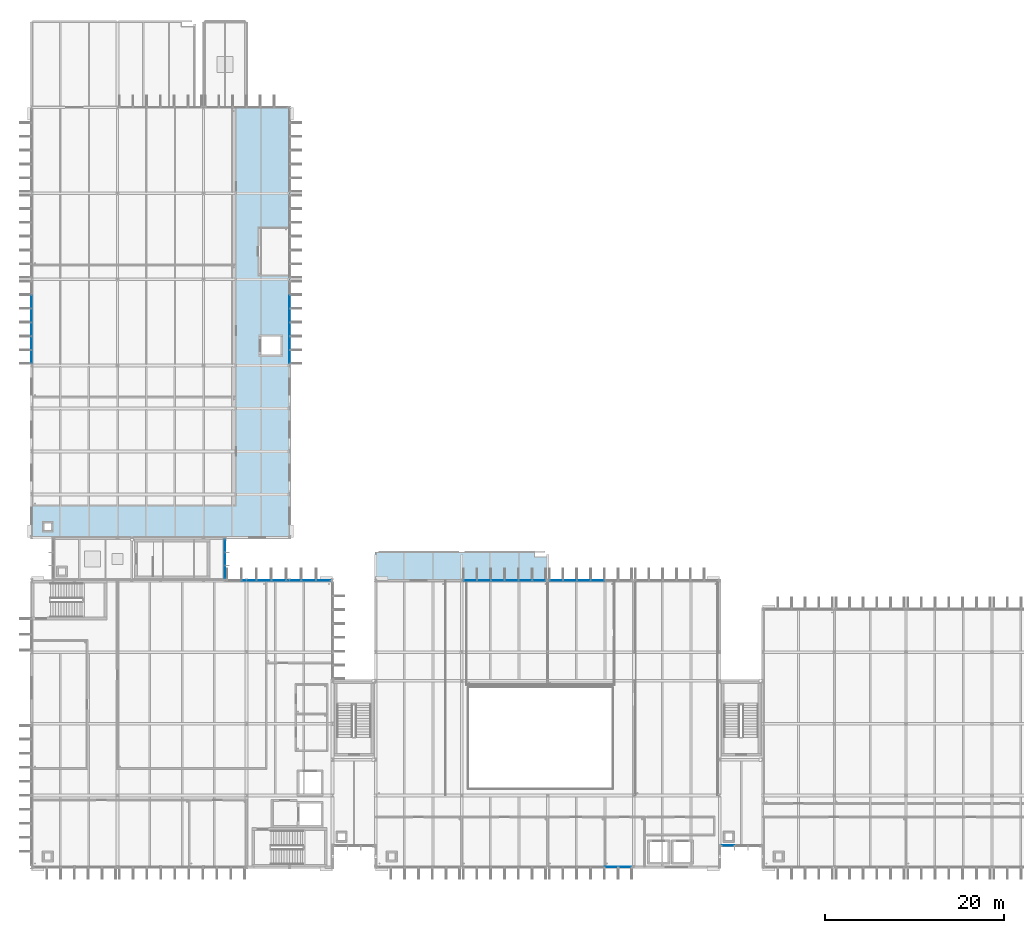
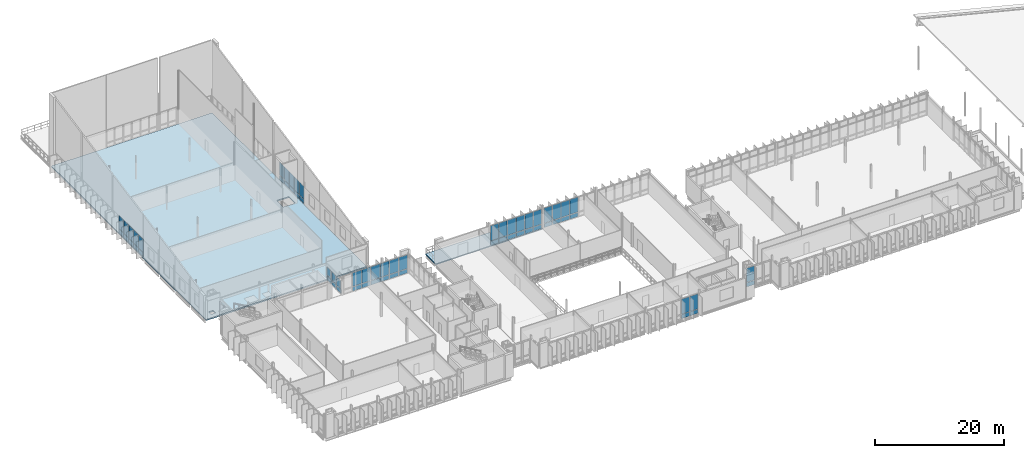
# One storey, part 41 of 93: 64 plates, 2 slabs, 8 elements without a shape of their own.
"""IFC4 building model written with IfcOpenShell, lengths in metres."""

import ifcopenshell
import ifcopenshell.guid

model = None  # the IFC model being written
_history = None  # IfcOwnerHistory: only IFC2X3 demands one
_inside = {}  # id of a spatial element -> (the spatial element, [elements in it])
_under = {}  # id of a project, library or spatial element -> (it, [spatial elements below it])
_declared = {}  # id of a project -> (the project, [libraries it declares])
_typed = {}  # id of a type object -> (the type object, [elements of that type])
_made_of = {}  # id of a material, layer set ... -> (it, [elements and type objects made of it])


def new_model(schema):
    """Start an empty IFC model of exactly this schema.

    Asked for "IFC4X3", IfcOpenShell would pick the latest addendum, in which some entities
    have other attributes; the version numbers below select the first issue.
    IFC2X3 requires an IfcOwnerHistory on every rooted entity: one is made here for all.
    """
    global model, _history
    if schema == "IFC4X3":
        model = ifcopenshell.file(schema_version=(4, 3, 0, 0))
    else:
        model = ifcopenshell.file(schema=schema)
    _inside.clear()
    _under.clear()
    _declared.clear()
    _typed.clear()
    _made_of.clear()
    _history = None
    if model.schema == "IFC2X3":
        org = make("IfcOrganization", Name="unknown")
        user = make(
            "IfcPersonAndOrganization",
            ThePerson=make("IfcPerson", FamilyName="unknown"),
            TheOrganization=org,
        )
        app = make(
            "IfcApplication",
            ApplicationDeveloper=org,
            Version="unknown",
            ApplicationFullName="unknown",
            ApplicationIdentifier="unknown",
        )
        _history = make(
            "IfcOwnerHistory",
            OwningUser=user,
            OwningApplication=app,
            ChangeAction="ADDED",
            CreationDate=0,
        )
    return model


def make(cls, **values):
    """One entity of the class cls with the attributes given. An attribute that is None is left unset."""
    return model.create_entity(
        cls, **{name: value for name, value in values.items() if value is not None}
    )


def rooted(cls, **values):
    """An entity with a GlobalId (a new one), such as an element, a storey or a relation."""
    return make(cls, GlobalId=ifcopenshell.guid.new(), OwnerHistory=_history, **values)


def si_unit(unit_type, name, prefix=None):
    """IfcSIUnit, for example si_unit("LENGTHUNIT", "METRE", prefix="MILLI")."""
    return make("IfcSIUnit", UnitType=unit_type, Prefix=prefix, Name=name)


def assignment(units):
    """IfcUnitAssignment: the units of a project."""
    return None if units is None else make("IfcUnitAssignment", Units=units)


def point(xyz):
    """IfcCartesianPoint."""
    return None if xyz is None else make("IfcCartesianPoint", Coordinates=xyz)


def direction(xyz):
    """IfcDirection."""
    return None if xyz is None else make("IfcDirection", DirectionRatios=xyz)


def frame(location, z_axis=None, x_axis=None):
    """IfcAxis2Placement3D, a coordinate frame: its origin and axes. An axis left out is left unset."""
    return make(
        "IfcAxis2Placement3D",
        Location=point(location),
        Axis=direction(z_axis),
        RefDirection=direction(x_axis),
    )


def frame_2d(location, x_axis=None):
    """IfcAxis2Placement2D, a coordinate frame in the plane: its origin and x axis."""
    return make(
        "IfcAxis2Placement2D", Location=point(location), RefDirection=direction(x_axis)
    )


def origin():
    """The frame at (0, 0, 0) with its axes left unset."""
    return frame((0.0, 0.0, 0.0))


def origin_2d():
    """The frame at (0, 0) in the plane with its x axis left unset."""
    return frame_2d((0.0, 0.0))


def place(relative_to, where):
    """IfcLocalPlacement: puts the frame where relative to a parent placement (None: the world)."""
    return make(
        "IfcLocalPlacement", PlacementRelTo=relative_to, RelativePlacement=where
    )


def context(
    kind, dimensions, precision=None, world=None, true_north=None, identifier=None
):
    """IfcGeometricRepresentationContext, for example the 3D "Model" context."""
    return make(
        "IfcGeometricRepresentationContext",
        ContextIdentifier=identifier,
        ContextType=kind,
        CoordinateSpaceDimension=dimensions,
        Precision=precision,
        WorldCoordinateSystem=world,
        TrueNorth=true_north,
    )


def subcontext(parent, identifier, kind, view, scale=None):
    """IfcGeometricRepresentationSubContext, for example "Body" below "Model"."""
    return make(
        "IfcGeometricRepresentationSubContext",
        ContextIdentifier=identifier,
        ContextType=kind,
        ParentContext=parent,
        TargetScale=scale,
        TargetView=view,
    )


def project(units=None, contexts=None):
    """IfcProject with its units and contexts."""
    return rooted(
        "IfcProject",
        Name="project",
        RepresentationContexts=contexts,
        UnitsInContext=assignment(units),
    )


def spatial(cls, under=None, at=None, **own):
    """A site, building, storey or space (cls), placed at a placement, below another one or the project."""
    s = rooted(cls, ObjectPlacement=at, **own)
    if under is not None:
        _under.setdefault(under.id(), (under, []))[1].append(s)
    return s


def polyline(points):
    """IfcPolyline through the points."""
    return make("IfcPolyline", Points=[point(p) for p in points])


def profile(cls, at=None, kind="AREA", **sizes):
    """A parametric profile (cls). Its sizes go by their IFC names, for example OverallWidth=200.0."""
    return make(cls, ProfileType=kind, Position=at, **sizes)


def rectangle(**sizes):
    """IfcRectangleProfileDef."""
    return profile("IfcRectangleProfileDef", **sizes)


def outline(outer, holes=None, kind="AREA"):
    """IfcArbitraryClosedProfileDef: a profile drawn as a closed curve; with holes, ...WithVoids."""
    if holes is None:
        return make("IfcArbitraryClosedProfileDef", ProfileType=kind, OuterCurve=outer)
    return make(
        "IfcArbitraryProfileDefWithVoids",
        ProfileType=kind,
        OuterCurve=outer,
        InnerCurves=holes,
    )


def extrude(swept, where, along, depth):
    """IfcExtrudedAreaSolid: the profile swept, set in the frame where, extruded along a direction by depth."""
    return make(
        "IfcExtrudedAreaSolid",
        SweptArea=swept,
        Position=where,
        ExtrudedDirection=direction(along),
        Depth=depth,
    )


def shape(context_of_items, identifier, shape_type, items):
    """IfcShapeRepresentation: the items that make up one representation, for example the "Body"."""
    return make(
        "IfcShapeRepresentation",
        ContextOfItems=context_of_items,
        RepresentationIdentifier=identifier,
        RepresentationType=shape_type,
        Items=items,
    )


def material(Name=None, Category=None):
    """IfcMaterial."""
    return make("IfcMaterial", Name=Name, Category=Category)


def layer(
    of_material, thickness, ventilated=None, Name=None, Category=None, Priority=None
):
    """IfcMaterialLayer: one layer of a wall or slab, of a material (None: an air gap)."""
    return make(
        "IfcMaterialLayer",
        Material=of_material,
        LayerThickness=thickness,
        IsVentilated=ventilated,
        Name=Name,
        Category=Category,
        Priority=Priority,
    )


def layer_set(layers, Name=None):
    """IfcMaterialLayerSet."""
    return make("IfcMaterialLayerSet", MaterialLayers=layers, LayerSetName=Name)


def made_of(thing, what):
    """Note that an element or type object is made of a material, layer set ...; save() writes the relation."""
    if what is not None:
        _made_of.setdefault(what.id(), (what, []))[1].append(thing)
    return thing


def type_object(cls, material=None, **own):
    """A type object (cls), such as IfcWallType, which elements share."""
    return made_of(rooted(cls, **own), material)


def element(
    cls,
    number,
    at=None,
    inside=None,
    cuts=None,
    type_object=None,
    material=None,
    context=None,
    identifier="Body",
    shape_type=None,
    held_by="IfcProductDefinitionShape",
    body=None,
    shapes=None,
    **own,
):
    """One element of the class cls, such as IfcWall. Its Tag is "e" and its number.

    at: its placement. inside: the storey or other place that contains it. cuts: it is an
    opening in that element (IfcRelVoidsElement). A single representation is given by context,
    identifier, shape_type and body (its items); several are given by shapes. held_by: the class
    of the entity that holds the representations. save() writes the other relations.
    """
    e = rooted(cls, Tag="e%d" % number, ObjectPlacement=at, **own)
    if body is not None:
        shapes = [shape(context, identifier, shape_type, body)]
    if shapes is not None:
        e.Representation = make(held_by, Representations=shapes)
    if inside is not None:
        _inside.setdefault(inside.id(), (inside, []))[1].append(e)
    if cuts is not None:
        rooted(
            "IfcRelVoidsElement", RelatingBuildingElement=cuts, RelatedOpeningElement=e
        )
    if type_object is not None:
        _typed.setdefault(type_object.id(), (type_object, []))[1].append(e)
    return made_of(e, material)


def aggregate(whole, parts):
    """IfcRelAggregates: a whole, such as a stair, and the parts it consists of."""
    return rooted("IfcRelAggregates", RelatingObject=whole, RelatedObjects=parts)


def save(model, path):
    """Write the relations noted so far, then the file.

    IfcRelAggregates (storeys below a building ...), IfcRelContainedInSpatialStructure (elements
    in a storey), IfcRelDefinesByType, IfcRelAssociatesMaterial and IfcRelDeclares: one each for
    every whole, place, type object, material and project.
    """
    for whole, parts in _under.values():
        aggregate(whole, parts)
    for where, things in _inside.values():
        rooted(
            "IfcRelContainedInSpatialStructure",
            RelatedElements=things,
            RelatingStructure=where,
        )
    for kind, things in _typed.values():
        rooted("IfcRelDefinesByType", RelatedObjects=things, RelatingType=kind)
    for what, things in _made_of.values():
        rooted("IfcRelAssociatesMaterial", RelatedObjects=things, RelatingMaterial=what)
    for by, libraries in _declared.values():
        rooted("IfcRelDeclares", RelatingContext=by, RelatedDefinitions=libraries)
    model.write(path)


model = new_model("IFC4")

# Units and contexts
model_context = context("Model", 3, precision=1e-05, world=origin(), true_north=direction((0.0, 1.0)))
body_context = subcontext(model_context, "Body", "Model", "MODEL_VIEW")
ifc_project = project(units=[si_unit("LENGTHUNIT", "METRE"), si_unit("AREAUNIT", "SQUARE_METRE"), si_unit("VOLUMEUNIT", "CUBIC_METRE"), si_unit("PLANEANGLEUNIT", "RADIAN"), si_unit("MASSUNIT", "GRAM", prefix="KILO")], contexts=[model_context])

# Site, building, storey
site_placement = place(None, origin())
site = spatial("IfcSite", under=ifc_project, at=site_placement, CompositionType="ELEMENT")
building_placement = place(site_placement, origin())
building = spatial("IfcBuilding", under=site, at=building_placement, Name="Dunescarp Central Library", CompositionType="ELEMENT")
storey_placement = place(building_placement, frame((0.0, 0.0, 14.10009765625)))
storey = spatial("IfcBuildingStorey", under=building, at=storey_placement, Name="L03", CompositionType="ELEMENT", Elevation=14.10009765625)

# Curtain wall, plates
ifc_material_1 = material(Name="Marine-grade anodised aluminium 6063-T6", Category="aluminium")
curtain_wall_type_1 = type_object("IfcCurtainWallType", Name="ARC-CW-STICK", PredefinedType="NOTDEFINED", material=ifc_material_1)
curtain_wall_1_placement = place(storey_placement, origin())
curtain_wall_1 = element("IfcCurtainWall", 1, at=curtain_wall_1_placement, inside=storey, type_object=curtain_wall_type_1, Name="L03 curtain wall CW-V1-020", PredefinedType="NOTDEFINED")
ifc_material_2 = material(Name="Solar-control laminated double glazing", Category="glass")
ifc_layer_1 = layer(ifc_material_2, 0.028076171875)
ifc_layer_set_1 = layer_set([ifc_layer_1], Name="Solar-control laminated double glazing")
plate_type_1 = type_object("IfcPlateType", Name="ARC-PLT-GLZ28", PredefinedType="CURTAIN_PANEL", material=ifc_layer_set_1)
plate_1_placement = place(storey_placement, frame((24.271484375, 36.800048828125, 0.93994140625), z_axis=(0.0, 0.0, 1.0), x_axis=(1.0, 0.0, 0.0)))
plate_1 = element("IfcPlate", 2, at=plate_1_placement, type_object=plate_type_1, Name="CW-V1-020 panel 2.2", PredefinedType="CURTAIN_PANEL", context=body_context, shape_type="SweptSolid", body=[
    extrude(rectangle(XDim=1.584228515625, YDim=0.028076171875, at=origin_2d()), origin(), (0.0, 0.0, 1.0), 2.60498046875),
])
plate_2_placement = place(storey_placement, frame((25.935791015625, 36.800048828125, 0.93994140625), z_axis=(0.0, 0.0, 1.0), x_axis=(1.0, 0.0, 0.0)))
plate_2 = element("IfcPlate", 3, at=plate_2_placement, type_object=plate_type_1, Name="CW-V1-020 panel 3.2", PredefinedType="CURTAIN_PANEL", context=body_context, shape_type="SweptSolid", body=[
    extrude(rectangle(XDim=1.584228515625, YDim=0.028076171875, at=origin_2d()), origin(), (0.0, 0.0, 1.0), 2.60498046875),
])
plate_3_placement = place(storey_placement, frame((27.60009765625, 36.800048828125, 0.93994140625), z_axis=(0.0, 0.0, 1.0), x_axis=(1.0, 0.0, 0.0)))
plate_3 = element("IfcPlate", 4, at=plate_3_placement, type_object=plate_type_1, Name="CW-V1-020 panel 4.2", PredefinedType="CURTAIN_PANEL", context=body_context, shape_type="SweptSolid", body=[
    extrude(rectangle(XDim=1.584228515625, YDim=0.028076171875, at=origin_2d()), origin(), (0.0, 0.0, 1.0), 2.60498046875),
])
plate_4_placement = place(storey_placement, frame((29.264404296875, 36.800048828125, 0.93994140625), z_axis=(0.0, 0.0, 1.0), x_axis=(1.0, 0.0, 0.0)))
plate_4 = element("IfcPlate", 5, at=plate_4_placement, type_object=plate_type_1, Name="CW-V1-020 panel 5.2", PredefinedType="CURTAIN_PANEL", context=body_context, shape_type="SweptSolid", body=[
    extrude(rectangle(XDim=1.584228515625, YDim=0.028076171875, at=origin_2d()), origin(), (0.0, 0.0, 1.0), 2.60498046875),
])
plate_5_placement = place(storey_placement, frame((30.928466796875, 36.800048828125, 0.93994140625), z_axis=(0.0, 0.0, 1.0), x_axis=(1.0, 0.0, 0.0)))
plate_5 = element("IfcPlate", 6, at=plate_5_placement, type_object=plate_type_1, Name="CW-V1-020 panel 6.2", PredefinedType="CURTAIN_PANEL", context=body_context, shape_type="SweptSolid", body=[
    extrude(rectangle(XDim=1.584228515625, YDim=0.028076171875, at=origin_2d()), origin(), (0.0, 0.0, 1.0), 2.60498046875),
])
plate_6_placement = place(storey_placement, frame((32.57275390625, 36.800048828125, 0.93994140625), z_axis=(0.0, 0.0, 1.0), x_axis=(1.0, 0.0, 0.0)))
plate_6 = element("IfcPlate", 7, at=plate_6_placement, type_object=plate_type_1, Name="CW-V1-020 panel 7.2", PredefinedType="CURTAIN_PANEL", context=body_context, shape_type="SweptSolid", body=[
    extrude(rectangle(XDim=1.544189453125, YDim=0.028076171875, at=origin_2d()), origin(), (0.0, 0.0, 1.0), 2.60498046875),
])

curtain_wall_2_placement = place(storey_placement, origin())
curtain_wall_2 = element("IfcCurtainWall", 8, at=curtain_wall_2_placement, inside=storey, type_object=curtain_wall_type_1, Name="L03 curtain wall CW-V2-063", PredefinedType="NOTDEFINED")
plate_7_placement = place(storey_placement, frame((66.234130859375, 4.800048828125, 0.93994140625), z_axis=(0.0, 0.0, 1.0), x_axis=(-1.0, 0.0, 0.0)))
plate_7 = element("IfcPlate", 9, at=plate_7_placement, type_object=plate_type_1, Name="CW-V2-063 panel 1.2", PredefinedType="CURTAIN_PANEL", context=body_context, shape_type="SweptSolid", body=[
    extrude(rectangle(XDim=1.421630859375, YDim=0.028076171875, at=origin_2d()), origin(), (0.0, 0.0, 1.0), 2.842041015625),
])
plate_8_placement = place(storey_placement, frame((64.71240234375, 4.800048828125, 0.93994140625), z_axis=(0.0, 0.0, 1.0), x_axis=(-1.0, 0.0, 0.0)))
plate_8 = element("IfcPlate", 10, at=plate_8_placement, type_object=plate_type_1, Name="CW-V2-063 panel 2.2", PredefinedType="CURTAIN_PANEL", context=body_context, shape_type="SweptSolid", body=[
    extrude(rectangle(XDim=1.461669921875, YDim=0.028076171875, at=origin_2d()), origin(), (0.0, 0.0, 1.0), 2.842041015625),
])

curtain_wall_3_placement = place(storey_placement, origin())
curtain_wall_3 = element("IfcCurtainWall", 11, at=curtain_wall_3_placement, inside=storey, type_object=curtain_wall_type_1, Name="L03 curtain wall CW-V2-064", PredefinedType="NOTDEFINED")
plate_9_placement = place(storey_placement, frame((48.9658203125, 36.800048828125, 0.93994140625), z_axis=(0.0, 0.0, 1.0), x_axis=(1.0, 0.0, 0.0)))
plate_9 = element("IfcPlate", 12, at=plate_9_placement, type_object=plate_type_1, Name="CW-V2-064 panel 1.2", PredefinedType="CURTAIN_PANEL", context=body_context, shape_type="SweptSolid", body=[
    extrude(rectangle(XDim=1.421630859375, YDim=0.028076171875, at=origin_2d()), origin(), (0.0, 0.0, 1.0), 2.842041015625),
])
plate_10_placement = place(storey_placement, frame((50.487548828125, 36.800048828125, 0.93994140625), z_axis=(0.0, 0.0, 1.0), x_axis=(1.0, 0.0, 0.0)))
plate_10 = element("IfcPlate", 13, at=plate_10_placement, type_object=plate_type_1, Name="CW-V2-064 panel 2.2", PredefinedType="CURTAIN_PANEL", context=body_context, shape_type="SweptSolid", body=[
    extrude(rectangle(XDim=1.461669921875, YDim=0.028076171875, at=origin_2d()), origin(), (0.0, 0.0, 1.0), 2.842041015625),
])
plate_11_placement = place(storey_placement, frame((52.029052734375, 36.800048828125, 0.93994140625), z_axis=(0.0, 0.0, 1.0), x_axis=(1.0, 0.0, 0.0)))
plate_11 = element("IfcPlate", 14, at=plate_11_placement, type_object=plate_type_1, Name="CW-V2-064 panel 3.2", PredefinedType="CURTAIN_PANEL", context=body_context, shape_type="SweptSolid", body=[
    extrude(rectangle(XDim=1.461669921875, YDim=0.028076171875, at=origin_2d()), origin(), (0.0, 0.0, 1.0), 2.842041015625),
])
plate_12_placement = place(storey_placement, frame((53.57080078125, 36.800048828125, 0.93994140625), z_axis=(0.0, 0.0, 1.0), x_axis=(1.0, 0.0, 0.0)))
plate_12 = element("IfcPlate", 15, at=plate_12_placement, type_object=plate_type_1, Name="CW-V2-064 panel 4.2", PredefinedType="CURTAIN_PANEL", context=body_context, shape_type="SweptSolid", body=[
    extrude(rectangle(XDim=1.461669921875, YDim=0.028076171875, at=origin_2d()), origin(), (0.0, 0.0, 1.0), 2.842041015625),
])
plate_13_placement = place(storey_placement, frame((55.112548828125, 36.800048828125, 0.93994140625), z_axis=(0.0, 0.0, 1.0), x_axis=(1.0, 0.0, 0.0)))
plate_13 = element("IfcPlate", 16, at=plate_13_placement, type_object=plate_type_1, Name="CW-V2-064 panel 5.2", PredefinedType="CURTAIN_PANEL", context=body_context, shape_type="SweptSolid", body=[
    extrude(rectangle(XDim=1.461669921875, YDim=0.028076171875, at=origin_2d()), origin(), (0.0, 0.0, 1.0), 2.842041015625),
])
plate_14_placement = place(storey_placement, frame((56.63427734375, 36.800048828125, 0.93994140625), z_axis=(0.0, 0.0, 1.0), x_axis=(1.0, 0.0, 0.0)))
plate_14 = element("IfcPlate", 17, at=plate_14_placement, type_object=plate_type_1, Name="CW-V2-064 panel 6.2", PredefinedType="CURTAIN_PANEL", context=body_context, shape_type="SweptSolid", body=[
    extrude(rectangle(XDim=1.421630859375, YDim=0.028076171875, at=origin_2d()), origin(), (0.0, 0.0, 1.0), 2.842041015625),
])

curtain_wall_4_placement = place(storey_placement, origin())
curtain_wall_4 = element("IfcCurtainWall", 18, at=curtain_wall_4_placement, inside=storey, type_object=curtain_wall_type_1, Name="L03 curtain wall CW-V2-065", PredefinedType="NOTDEFINED")
plate_15_placement = place(storey_placement, frame((58.56591796875, 36.800048828125, 0.93994140625), z_axis=(0.0, 0.0, 1.0), x_axis=(1.0, 0.0, 0.0)))
plate_15 = element("IfcPlate", 19, at=plate_15_placement, type_object=plate_type_1, Name="CW-V2-065 panel 1.2", PredefinedType="CURTAIN_PANEL", context=body_context, shape_type="SweptSolid", body=[
    extrude(rectangle(XDim=1.421630859375, YDim=0.028076171875, at=origin_2d()), origin(), (0.0, 0.0, 1.0), 2.842041015625),
])
plate_16_placement = place(storey_placement, frame((60.08740234375, 36.800048828125, 0.93994140625), z_axis=(0.0, 0.0, 1.0), x_axis=(1.0, 0.0, 0.0)))
plate_16 = element("IfcPlate", 20, at=plate_16_placement, type_object=plate_type_1, Name="CW-V2-065 panel 2.2", PredefinedType="CURTAIN_PANEL", context=body_context, shape_type="SweptSolid", body=[
    extrude(rectangle(XDim=1.461669921875, YDim=0.028076171875, at=origin_2d()), origin(), (0.0, 0.0, 1.0), 2.842041015625),
])
plate_17_placement = place(storey_placement, frame((61.629150390625, 36.800048828125, 0.93994140625), z_axis=(0.0, 0.0, 1.0), x_axis=(1.0, 0.0, 0.0)))
plate_17 = element("IfcPlate", 21, at=plate_17_placement, type_object=plate_type_1, Name="CW-V2-065 panel 3.2", PredefinedType="CURTAIN_PANEL", context=body_context, shape_type="SweptSolid", body=[
    extrude(rectangle(XDim=1.461669921875, YDim=0.028076171875, at=origin_2d()), origin(), (0.0, 0.0, 1.0), 2.842041015625),
])
plate_18_placement = place(storey_placement, frame((63.1708984375, 36.800048828125, 0.93994140625), z_axis=(0.0, 0.0, 1.0), x_axis=(1.0, 0.0, 0.0)))
plate_18 = element("IfcPlate", 22, at=plate_18_placement, type_object=plate_type_1, Name="CW-V2-065 panel 4.2", PredefinedType="CURTAIN_PANEL", context=body_context, shape_type="SweptSolid", body=[
    extrude(rectangle(XDim=1.461669921875, YDim=0.028076171875, at=origin_2d()), origin(), (0.0, 0.0, 1.0), 2.842041015625),
])

curtain_wall_5_placement = place(storey_placement, origin())
curtain_wall_5 = element("IfcCurtainWall", 23, at=curtain_wall_5_placement, inside=storey, type_object=curtain_wall_type_1, Name="L03 curtain wall CW-V4-130", PredefinedType="NOTDEFINED")
plate_19_placement = place(storey_placement, frame((0.0, 61.765869140625, 0.93994140625), z_axis=(0.0, 0.0, 1.0), x_axis=(0.0, 1.0, 0.0)))
plate_19 = element("IfcPlate", 24, at=plate_19_placement, type_object=plate_type_1, Name="CW-V4-130 panel 1.2", PredefinedType="CURTAIN_PANEL", context=body_context, shape_type="SweptSolid", body=[
    extrude(rectangle(XDim=1.421630859375, YDim=0.028076171875, at=origin_2d()), origin(), (0.0, 0.0, 1.0), 2.4619140625),
])
plate_20_placement = place(storey_placement, frame((0.0, 63.28759765625, 0.93994140625), z_axis=(0.0, 0.0, 1.0), x_axis=(0.0, 1.0, 0.0)))
plate_20 = element("IfcPlate", 25, at=plate_20_placement, type_object=plate_type_1, Name="CW-V4-130 panel 2.2", PredefinedType="CURTAIN_PANEL", context=body_context, shape_type="SweptSolid", body=[
    extrude(rectangle(XDim=1.461669921875, YDim=0.028076171875, at=origin_2d()), origin(), (0.0, 0.0, 1.0), 2.4619140625),
])
plate_21_placement = place(storey_placement, frame((0.0, 64.8291015625, 0.93994140625), z_axis=(0.0, 0.0, 1.0), x_axis=(0.0, 1.0, 0.0)))
plate_21 = element("IfcPlate", 26, at=plate_21_placement, type_object=plate_type_1, Name="CW-V4-130 panel 3.2", PredefinedType="CURTAIN_PANEL", context=body_context, shape_type="SweptSolid", body=[
    extrude(rectangle(XDim=1.461669921875, YDim=0.028076171875, at=origin_2d()), origin(), (0.0, 0.0, 1.0), 2.4619140625),
])
plate_22_placement = place(storey_placement, frame((0.0, 66.370849609375, 0.93994140625), z_axis=(0.0, 0.0, 1.0), x_axis=(0.0, 1.0, 0.0)))
plate_22 = element("IfcPlate", 27, at=plate_22_placement, type_object=plate_type_1, Name="CW-V4-130 panel 4.2", PredefinedType="CURTAIN_PANEL", context=body_context, shape_type="SweptSolid", body=[
    extrude(rectangle(XDim=1.461669921875, YDim=0.028076171875, at=origin_2d()), origin(), (0.0, 0.0, 1.0), 2.4619140625),
])
plate_23_placement = place(storey_placement, frame((0.0, 67.91259765625, 0.93994140625), z_axis=(0.0, 0.0, 1.0), x_axis=(0.0, 1.0, 0.0)))
plate_23 = element("IfcPlate", 28, at=plate_23_placement, type_object=plate_type_1, Name="CW-V4-130 panel 5.2", PredefinedType="CURTAIN_PANEL", context=body_context, shape_type="SweptSolid", body=[
    extrude(rectangle(XDim=1.461669921875, YDim=0.028076171875, at=origin_2d()), origin(), (0.0, 0.0, 1.0), 2.4619140625),
])

curtain_wall_6_placement = place(storey_placement, origin())
curtain_wall_6 = element("IfcCurtainWall", 29, at=curtain_wall_6_placement, inside=storey, type_object=curtain_wall_type_1, Name="L03 curtain wall CW-V4-131", PredefinedType="NOTDEFINED")
plate_24_placement = place(storey_placement, frame((28.800048828125, 67.91259765625, 0.93994140625), z_axis=(0.0, 0.0, 1.0), x_axis=(0.0, -1.0, 0.0)))
plate_24 = element("IfcPlate", 30, at=plate_24_placement, type_object=plate_type_1, Name="CW-V4-131 panel 2.2", PredefinedType="CURTAIN_PANEL", context=body_context, shape_type="SweptSolid", body=[
    extrude(rectangle(XDim=1.461669921875, YDim=0.028076171875, at=origin_2d()), origin(), (0.0, 0.0, 1.0), 2.4619140625),
])
plate_25_placement = place(storey_placement, frame((28.800048828125, 66.370849609375, 0.93994140625), z_axis=(0.0, 0.0, 1.0), x_axis=(0.0, -1.0, 0.0)))
plate_25 = element("IfcPlate", 31, at=plate_25_placement, type_object=plate_type_1, Name="CW-V4-131 panel 3.2", PredefinedType="CURTAIN_PANEL", context=body_context, shape_type="SweptSolid", body=[
    extrude(rectangle(XDim=1.461669921875, YDim=0.028076171875, at=origin_2d()), origin(), (0.0, 0.0, 1.0), 2.4619140625),
])
plate_26_placement = place(storey_placement, frame((28.800048828125, 64.8291015625, 0.93994140625), z_axis=(0.0, 0.0, 1.0), x_axis=(0.0, -1.0, 0.0)))
plate_26 = element("IfcPlate", 32, at=plate_26_placement, type_object=plate_type_1, Name="CW-V4-131 panel 4.2", PredefinedType="CURTAIN_PANEL", context=body_context, shape_type="SweptSolid", body=[
    extrude(rectangle(XDim=1.461669921875, YDim=0.028076171875, at=origin_2d()), origin(), (0.0, 0.0, 1.0), 2.4619140625),
])
plate_27_placement = place(storey_placement, frame((28.800048828125, 63.28759765625, 0.93994140625), z_axis=(0.0, 0.0, 1.0), x_axis=(0.0, -1.0, 0.0)))
plate_27 = element("IfcPlate", 33, at=plate_27_placement, type_object=plate_type_1, Name="CW-V4-131 panel 5.2", PredefinedType="CURTAIN_PANEL", context=body_context, shape_type="SweptSolid", body=[
    extrude(rectangle(XDim=1.461669921875, YDim=0.028076171875, at=origin_2d()), origin(), (0.0, 0.0, 1.0), 2.4619140625),
])
plate_28_placement = place(storey_placement, frame((28.800048828125, 61.765869140625, 0.93994140625), z_axis=(0.0, 0.0, 1.0), x_axis=(0.0, -1.0, 0.0)))
plate_28 = element("IfcPlate", 34, at=plate_28_placement, type_object=plate_type_1, Name="CW-V4-131 panel 6.2", PredefinedType="CURTAIN_PANEL", context=body_context, shape_type="SweptSolid", body=[
    extrude(rectangle(XDim=1.421630859375, YDim=0.028076171875, at=origin_2d()), origin(), (0.0, 0.0, 1.0), 2.4619140625),
])

# Curtain wall, plate
curtain_wall_type_2 = type_object("IfcCurtainWallType", Name="ARC-CW-LINK", PredefinedType="USERDEFINED", material=ifc_material_1)
curtain_wall_7_placement = place(storey_placement, origin())
curtain_wall_7 = element("IfcCurtainWall", 35, at=curtain_wall_7_placement, inside=storey, type_object=curtain_wall_type_2, Name="L03 curtain wall CW-GL2-S-L03", ObjectType="GLAZED_LINK_WALL", PredefinedType="USERDEFINED")
plate_29_placement = place(storey_placement, frame((77.736572265625, 7.199951171875, 0.93994140625), z_axis=(0.0, 0.0, 1.0), x_axis=(-1.0, 0.0, 0.0)))
plate_29 = element("IfcPlate", 36, at=plate_29_placement, type_object=plate_type_1, Name="CW-GL2-S-L03 panel 3.2", PredefinedType="CURTAIN_PANEL", context=body_context, shape_type="SweptSolid", body=[
    extrude(rectangle(XDim=1.36328125, YDim=0.028076171875, at=origin_2d()), origin(), (0.0, 0.0, 1.0), 2.666015625),
])

# Curtain wall, plates
curtain_wall_8_placement = place(storey_placement, origin())
curtain_wall_8 = element("IfcCurtainWall", 37, at=curtain_wall_8_placement, inside=storey, type_object=curtain_wall_type_2, Name="L03 curtain wall CW-GL4-E-L03", ObjectType="GLAZED_LINK_WALL", PredefinedType="USERDEFINED")
plate_30_placement = place(storey_placement, frame((21.60009765625, 40.663330078125, 0.93994140625), z_axis=(0.0, 0.0, 1.0), x_axis=(0.0, -1.0, 0.0)))
plate_30 = element("IfcPlate", 38, at=plate_30_placement, type_object=plate_type_1, Name="CW-GL4-E-L03 panel 1.2", PredefinedType="CURTAIN_PANEL", context=body_context, shape_type="SweptSolid", body=[
    extrude(rectangle(XDim=1.36328125, YDim=0.028076171875, at=origin_2d()), origin(), (0.0, 0.0, 1.0), 1.580078125),
])
plate_31_placement = place(storey_placement, frame((21.60009765625, 39.199951171875, 0.93994140625), z_axis=(0.0, 0.0, 1.0), x_axis=(0.0, -1.0, 0.0)))
plate_31 = element("IfcPlate", 39, at=plate_31_placement, type_object=plate_type_1, Name="CW-GL4-E-L03 panel 2.2", PredefinedType="CURTAIN_PANEL", context=body_context, shape_type="SweptSolid", body=[
    extrude(rectangle(XDim=1.4033203125, YDim=0.028076171875, at=origin_2d()), origin(), (0.0, 0.0, 1.0), 1.580078125),
])
plate_32_placement = place(storey_placement, frame((21.60009765625, 37.736572265625, 0.93994140625), z_axis=(0.0, 0.0, 1.0), x_axis=(0.0, -1.0, 0.0)))
plate_32 = element("IfcPlate", 40, at=plate_32_placement, type_object=plate_type_1, Name="CW-GL4-E-L03 panel 3.2", PredefinedType="CURTAIN_PANEL", context=body_context, shape_type="SweptSolid", body=[
    extrude(rectangle(XDim=1.36328125, YDim=0.028076171875, at=origin_2d()), origin(), (0.0, 0.0, 1.0), 1.580078125),
])

# Plate
ifc_layer_2 = layer(ifc_material_1, 0.050048828125)
ifc_layer_set_2 = layer_set([ifc_layer_2], Name="Marine-grade anodised aluminium 6063-T6")
plate_type_2 = type_object("IfcPlateType", Name="ARC-PLT-SPN50", PredefinedType="SHEET", material=ifc_layer_set_2)
plate_33_placement = place(storey_placement, frame((24.271484375, 36.800048828125, 0.080078125), z_axis=(0.0, 0.0, 1.0), x_axis=(1.0, 0.0, 0.0)))
plate_33 = element("IfcPlate", 41, at=plate_33_placement, type_object=plate_type_2, Name="CW-V1-020 panel 2.1", PredefinedType="SHEET", context=body_context, shape_type="SweptSolid", body=[
    extrude(rectangle(XDim=1.584228515625, YDim=0.050048828125, at=origin_2d()), origin(), (0.0, 0.0, 1.0), 0.780029296875),
])

plate_34_placement = place(storey_placement, frame((25.935791015625, 36.800048828125, 0.080078125), z_axis=(0.0, 0.0, 1.0), x_axis=(1.0, 0.0, 0.0)))
plate_34 = element("IfcPlate", 42, at=plate_34_placement, type_object=plate_type_2, Name="CW-V1-020 panel 3.1", PredefinedType="SHEET", context=body_context, shape_type="SweptSolid", body=[
    extrude(rectangle(XDim=1.584228515625, YDim=0.050048828125, at=origin_2d()), origin(), (0.0, 0.0, 1.0), 0.780029296875),
])

plate_35_placement = place(storey_placement, frame((27.60009765625, 36.800048828125, 0.080078125), z_axis=(0.0, 0.0, 1.0), x_axis=(1.0, 0.0, 0.0)))
plate_35 = element("IfcPlate", 43, at=plate_35_placement, type_object=plate_type_2, Name="CW-V1-020 panel 4.1", PredefinedType="SHEET", context=body_context, shape_type="SweptSolid", body=[
    extrude(rectangle(XDim=1.584228515625, YDim=0.050048828125, at=origin_2d()), origin(), (0.0, 0.0, 1.0), 0.780029296875),
])

plate_36_placement = place(storey_placement, frame((29.264404296875, 36.800048828125, 0.080078125), z_axis=(0.0, 0.0, 1.0), x_axis=(1.0, 0.0, 0.0)))
plate_36 = element("IfcPlate", 44, at=plate_36_placement, type_object=plate_type_2, Name="CW-V1-020 panel 5.1", PredefinedType="SHEET", context=body_context, shape_type="SweptSolid", body=[
    extrude(rectangle(XDim=1.584228515625, YDim=0.050048828125, at=origin_2d()), origin(), (0.0, 0.0, 1.0), 0.780029296875),
])

plate_37_placement = place(storey_placement, frame((30.928466796875, 36.800048828125, 0.080078125), z_axis=(0.0, 0.0, 1.0), x_axis=(1.0, 0.0, 0.0)))
plate_37 = element("IfcPlate", 45, at=plate_37_placement, type_object=plate_type_2, Name="CW-V1-020 panel 6.1", PredefinedType="SHEET", context=body_context, shape_type="SweptSolid", body=[
    extrude(rectangle(XDim=1.584228515625, YDim=0.050048828125, at=origin_2d()), origin(), (0.0, 0.0, 1.0), 0.780029296875),
])

plate_38_placement = place(storey_placement, frame((32.57275390625, 36.800048828125, 0.080078125), z_axis=(0.0, 0.0, 1.0), x_axis=(1.0, 0.0, 0.0)))
plate_38 = element("IfcPlate", 46, at=plate_38_placement, type_object=plate_type_2, Name="CW-V1-020 panel 7.1", PredefinedType="SHEET", context=body_context, shape_type="SweptSolid", body=[
    extrude(rectangle(XDim=1.544189453125, YDim=0.050048828125, at=origin_2d()), origin(), (0.0, 0.0, 1.0), 0.780029296875),
])

aggregate(curtain_wall_1, [plate_33, plate_1, plate_34, plate_2, plate_35, plate_3, plate_36, plate_4, plate_37, plate_5, plate_38, plate_6])

plate_39_placement = place(storey_placement, frame((66.234130859375, 4.800048828125, 0.080078125), z_axis=(0.0, 0.0, 1.0), x_axis=(-1.0, 0.0, 0.0)))
plate_39 = element("IfcPlate", 47, at=plate_39_placement, type_object=plate_type_2, Name="CW-V2-063 panel 1.1", PredefinedType="SHEET", context=body_context, shape_type="SweptSolid", body=[
    extrude(rectangle(XDim=1.421630859375, YDim=0.050048828125, at=origin_2d()), origin(), (0.0, 0.0, 1.0), 0.780029296875),
])

plate_40_placement = place(storey_placement, frame((64.71240234375, 4.800048828125, 0.080078125), z_axis=(0.0, 0.0, 1.0), x_axis=(-1.0, 0.0, 0.0)))
plate_40 = element("IfcPlate", 48, at=plate_40_placement, type_object=plate_type_2, Name="CW-V2-063 panel 2.1", PredefinedType="SHEET", context=body_context, shape_type="SweptSolid", body=[
    extrude(rectangle(XDim=1.461669921875, YDim=0.050048828125, at=origin_2d()), origin(), (0.0, 0.0, 1.0), 0.780029296875),
])

aggregate(curtain_wall_2, [plate_39, plate_7, plate_40, plate_8])

plate_41_placement = place(storey_placement, frame((48.9658203125, 36.800048828125, 0.080078125), z_axis=(0.0, 0.0, 1.0), x_axis=(1.0, 0.0, 0.0)))
plate_41 = element("IfcPlate", 49, at=plate_41_placement, type_object=plate_type_2, Name="CW-V2-064 panel 1.1", PredefinedType="SHEET", context=body_context, shape_type="SweptSolid", body=[
    extrude(rectangle(XDim=1.421630859375, YDim=0.050048828125, at=origin_2d()), origin(), (0.0, 0.0, 1.0), 0.780029296875),
])

plate_42_placement = place(storey_placement, frame((50.487548828125, 36.800048828125, 0.080078125), z_axis=(0.0, 0.0, 1.0), x_axis=(1.0, 0.0, 0.0)))
plate_42 = element("IfcPlate", 50, at=plate_42_placement, type_object=plate_type_2, Name="CW-V2-064 panel 2.1", PredefinedType="SHEET", context=body_context, shape_type="SweptSolid", body=[
    extrude(rectangle(XDim=1.461669921875, YDim=0.050048828125, at=origin_2d()), origin(), (0.0, 0.0, 1.0), 0.780029296875),
])

plate_43_placement = place(storey_placement, frame((52.029052734375, 36.800048828125, 0.080078125), z_axis=(0.0, 0.0, 1.0), x_axis=(1.0, 0.0, 0.0)))
plate_43 = element("IfcPlate", 51, at=plate_43_placement, type_object=plate_type_2, Name="CW-V2-064 panel 3.1", PredefinedType="SHEET", context=body_context, shape_type="SweptSolid", body=[
    extrude(rectangle(XDim=1.461669921875, YDim=0.050048828125, at=origin_2d()), origin(), (0.0, 0.0, 1.0), 0.780029296875),
])

plate_44_placement = place(storey_placement, frame((53.57080078125, 36.800048828125, 0.080078125), z_axis=(0.0, 0.0, 1.0), x_axis=(1.0, 0.0, 0.0)))
plate_44 = element("IfcPlate", 52, at=plate_44_placement, type_object=plate_type_2, Name="CW-V2-064 panel 4.1", PredefinedType="SHEET", context=body_context, shape_type="SweptSolid", body=[
    extrude(rectangle(XDim=1.461669921875, YDim=0.050048828125, at=origin_2d()), origin(), (0.0, 0.0, 1.0), 0.780029296875),
])

plate_45_placement = place(storey_placement, frame((55.112548828125, 36.800048828125, 0.080078125), z_axis=(0.0, 0.0, 1.0), x_axis=(1.0, 0.0, 0.0)))
plate_45 = element("IfcPlate", 53, at=plate_45_placement, type_object=plate_type_2, Name="CW-V2-064 panel 5.1", PredefinedType="SHEET", context=body_context, shape_type="SweptSolid", body=[
    extrude(rectangle(XDim=1.461669921875, YDim=0.050048828125, at=origin_2d()), origin(), (0.0, 0.0, 1.0), 0.780029296875),
])

plate_46_placement = place(storey_placement, frame((56.63427734375, 36.800048828125, 0.080078125), z_axis=(0.0, 0.0, 1.0), x_axis=(1.0, 0.0, 0.0)))
plate_46 = element("IfcPlate", 54, at=plate_46_placement, type_object=plate_type_2, Name="CW-V2-064 panel 6.1", PredefinedType="SHEET", context=body_context, shape_type="SweptSolid", body=[
    extrude(rectangle(XDim=1.421630859375, YDim=0.050048828125, at=origin_2d()), origin(), (0.0, 0.0, 1.0), 0.780029296875),
])

aggregate(curtain_wall_3, [plate_41, plate_9, plate_42, plate_10, plate_43, plate_11, plate_44, plate_12, plate_45, plate_13, plate_46, plate_14])

plate_47_placement = place(storey_placement, frame((58.56591796875, 36.800048828125, 0.080078125), z_axis=(0.0, 0.0, 1.0), x_axis=(1.0, 0.0, 0.0)))
plate_47 = element("IfcPlate", 55, at=plate_47_placement, type_object=plate_type_2, Name="CW-V2-065 panel 1.1", PredefinedType="SHEET", context=body_context, shape_type="SweptSolid", body=[
    extrude(rectangle(XDim=1.421630859375, YDim=0.050048828125, at=origin_2d()), origin(), (0.0, 0.0, 1.0), 0.780029296875),
])

plate_48_placement = place(storey_placement, frame((60.08740234375, 36.800048828125, 0.080078125), z_axis=(0.0, 0.0, 1.0), x_axis=(1.0, 0.0, 0.0)))
plate_48 = element("IfcPlate", 56, at=plate_48_placement, type_object=plate_type_2, Name="CW-V2-065 panel 2.1", PredefinedType="SHEET", context=body_context, shape_type="SweptSolid", body=[
    extrude(rectangle(XDim=1.461669921875, YDim=0.050048828125, at=origin_2d()), origin(), (0.0, 0.0, 1.0), 0.780029296875),
])

plate_49_placement = place(storey_placement, frame((61.629150390625, 36.800048828125, 0.080078125), z_axis=(0.0, 0.0, 1.0), x_axis=(1.0, 0.0, 0.0)))
plate_49 = element("IfcPlate", 57, at=plate_49_placement, type_object=plate_type_2, Name="CW-V2-065 panel 3.1", PredefinedType="SHEET", context=body_context, shape_type="SweptSolid", body=[
    extrude(rectangle(XDim=1.461669921875, YDim=0.050048828125, at=origin_2d()), origin(), (0.0, 0.0, 1.0), 0.780029296875),
])

plate_50_placement = place(storey_placement, frame((63.1708984375, 36.800048828125, 0.080078125), z_axis=(0.0, 0.0, 1.0), x_axis=(1.0, 0.0, 0.0)))
plate_50 = element("IfcPlate", 58, at=plate_50_placement, type_object=plate_type_2, Name="CW-V2-065 panel 4.1", PredefinedType="SHEET", context=body_context, shape_type="SweptSolid", body=[
    extrude(rectangle(XDim=1.461669921875, YDim=0.050048828125, at=origin_2d()), origin(), (0.0, 0.0, 1.0), 0.780029296875),
])

aggregate(curtain_wall_4, [plate_47, plate_15, plate_48, plate_16, plate_49, plate_17, plate_50, plate_18])

plate_51_placement = place(storey_placement, frame((0.0, 61.765869140625, 0.080078125), z_axis=(0.0, 0.0, 1.0), x_axis=(0.0, 1.0, 0.0)))
plate_51 = element("IfcPlate", 59, at=plate_51_placement, type_object=plate_type_2, Name="CW-V4-130 panel 1.1", PredefinedType="SHEET", context=body_context, shape_type="SweptSolid", body=[
    extrude(rectangle(XDim=1.421630859375, YDim=0.050048828125, at=origin_2d()), origin(), (0.0, 0.0, 1.0), 0.780029296875),
])

plate_52_placement = place(storey_placement, frame((0.0, 63.28759765625, 0.080078125), z_axis=(0.0, 0.0, 1.0), x_axis=(0.0, 1.0, 0.0)))
plate_52 = element("IfcPlate", 60, at=plate_52_placement, type_object=plate_type_2, Name="CW-V4-130 panel 2.1", PredefinedType="SHEET", context=body_context, shape_type="SweptSolid", body=[
    extrude(rectangle(XDim=1.461669921875, YDim=0.050048828125, at=origin_2d()), origin(), (0.0, 0.0, 1.0), 0.780029296875),
])

plate_53_placement = place(storey_placement, frame((0.0, 64.8291015625, 0.080078125), z_axis=(0.0, 0.0, 1.0), x_axis=(0.0, 1.0, 0.0)))
plate_53 = element("IfcPlate", 61, at=plate_53_placement, type_object=plate_type_2, Name="CW-V4-130 panel 3.1", PredefinedType="SHEET", context=body_context, shape_type="SweptSolid", body=[
    extrude(rectangle(XDim=1.461669921875, YDim=0.050048828125, at=origin_2d()), origin(), (0.0, 0.0, 1.0), 0.780029296875),
])

plate_54_placement = place(storey_placement, frame((0.0, 66.370849609375, 0.080078125), z_axis=(0.0, 0.0, 1.0), x_axis=(0.0, 1.0, 0.0)))
plate_54 = element("IfcPlate", 62, at=plate_54_placement, type_object=plate_type_2, Name="CW-V4-130 panel 4.1", PredefinedType="SHEET", context=body_context, shape_type="SweptSolid", body=[
    extrude(rectangle(XDim=1.461669921875, YDim=0.050048828125, at=origin_2d()), origin(), (0.0, 0.0, 1.0), 0.780029296875),
])

plate_55_placement = place(storey_placement, frame((0.0, 67.91259765625, 0.080078125), z_axis=(0.0, 0.0, 1.0), x_axis=(0.0, 1.0, 0.0)))
plate_55 = element("IfcPlate", 63, at=plate_55_placement, type_object=plate_type_2, Name="CW-V4-130 panel 5.1", PredefinedType="SHEET", context=body_context, shape_type="SweptSolid", body=[
    extrude(rectangle(XDim=1.461669921875, YDim=0.050048828125, at=origin_2d()), origin(), (0.0, 0.0, 1.0), 0.780029296875),
])

aggregate(curtain_wall_5, [plate_51, plate_19, plate_52, plate_20, plate_53, plate_21, plate_54, plate_22, plate_55, plate_23])

plate_56_placement = place(storey_placement, frame((28.800048828125, 67.91259765625, 0.080078125), z_axis=(0.0, 0.0, 1.0), x_axis=(0.0, -1.0, 0.0)))
plate_56 = element("IfcPlate", 64, at=plate_56_placement, type_object=plate_type_2, Name="CW-V4-131 panel 2.1", PredefinedType="SHEET", context=body_context, shape_type="SweptSolid", body=[
    extrude(rectangle(XDim=1.461669921875, YDim=0.050048828125, at=origin_2d()), origin(), (0.0, 0.0, 1.0), 0.780029296875),
])

plate_57_placement = place(storey_placement, frame((28.800048828125, 66.370849609375, 0.080078125), z_axis=(0.0, 0.0, 1.0), x_axis=(0.0, -1.0, 0.0)))
plate_57 = element("IfcPlate", 65, at=plate_57_placement, type_object=plate_type_2, Name="CW-V4-131 panel 3.1", PredefinedType="SHEET", context=body_context, shape_type="SweptSolid", body=[
    extrude(rectangle(XDim=1.461669921875, YDim=0.050048828125, at=origin_2d()), origin(), (0.0, 0.0, 1.0), 0.780029296875),
])

plate_58_placement = place(storey_placement, frame((28.800048828125, 64.8291015625, 0.080078125), z_axis=(0.0, 0.0, 1.0), x_axis=(0.0, -1.0, 0.0)))
plate_58 = element("IfcPlate", 66, at=plate_58_placement, type_object=plate_type_2, Name="CW-V4-131 panel 4.1", PredefinedType="SHEET", context=body_context, shape_type="SweptSolid", body=[
    extrude(rectangle(XDim=1.461669921875, YDim=0.050048828125, at=origin_2d()), origin(), (0.0, 0.0, 1.0), 0.780029296875),
])

plate_59_placement = place(storey_placement, frame((28.800048828125, 63.28759765625, 0.080078125), z_axis=(0.0, 0.0, 1.0), x_axis=(0.0, -1.0, 0.0)))
plate_59 = element("IfcPlate", 67, at=plate_59_placement, type_object=plate_type_2, Name="CW-V4-131 panel 5.1", PredefinedType="SHEET", context=body_context, shape_type="SweptSolid", body=[
    extrude(rectangle(XDim=1.461669921875, YDim=0.050048828125, at=origin_2d()), origin(), (0.0, 0.0, 1.0), 0.780029296875),
])

plate_60_placement = place(storey_placement, frame((28.800048828125, 61.765869140625, 0.080078125), z_axis=(0.0, 0.0, 1.0), x_axis=(0.0, -1.0, 0.0)))
plate_60 = element("IfcPlate", 68, at=plate_60_placement, type_object=plate_type_2, Name="CW-V4-131 panel 6.1", PredefinedType="SHEET", context=body_context, shape_type="SweptSolid", body=[
    extrude(rectangle(XDim=1.421630859375, YDim=0.050048828125, at=origin_2d()), origin(), (0.0, 0.0, 1.0), 0.780029296875),
])

aggregate(curtain_wall_6, [plate_56, plate_24, plate_57, plate_25, plate_58, plate_26, plate_59, plate_27, plate_60, plate_28])

plate_61_placement = place(storey_placement, frame((77.736572265625, 7.199951171875, 0.080078125), z_axis=(0.0, 0.0, 1.0), x_axis=(-1.0, 0.0, 0.0)))
plate_61 = element("IfcPlate", 69, at=plate_61_placement, type_object=plate_type_2, Name="CW-GL2-S-L03 panel 3.1", PredefinedType="SHEET", context=body_context, shape_type="SweptSolid", body=[
    extrude(rectangle(XDim=1.36328125, YDim=0.050048828125, at=origin_2d()), origin(), (0.0, 0.0, 1.0), 0.780029296875),
])

aggregate(curtain_wall_7, [plate_61, plate_29])

plate_62_placement = place(storey_placement, frame((21.60009765625, 40.663330078125, 0.080078125), z_axis=(0.0, 0.0, 1.0), x_axis=(0.0, -1.0, 0.0)))
plate_62 = element("IfcPlate", 70, at=plate_62_placement, type_object=plate_type_2, Name="CW-GL4-E-L03 panel 1.1", PredefinedType="SHEET", context=body_context, shape_type="SweptSolid", body=[
    extrude(rectangle(XDim=1.36328125, YDim=0.050048828125, at=origin_2d()), origin(), (0.0, 0.0, 1.0), 0.780029296875),
])

plate_63_placement = place(storey_placement, frame((21.60009765625, 39.199951171875, 0.080078125), z_axis=(0.0, 0.0, 1.0), x_axis=(0.0, -1.0, 0.0)))
plate_63 = element("IfcPlate", 71, at=plate_63_placement, type_object=plate_type_2, Name="CW-GL4-E-L03 panel 2.1", PredefinedType="SHEET", context=body_context, shape_type="SweptSolid", body=[
    extrude(rectangle(XDim=1.4033203125, YDim=0.050048828125, at=origin_2d()), origin(), (0.0, 0.0, 1.0), 0.780029296875),
])

plate_64_placement = place(storey_placement, frame((21.60009765625, 37.736572265625, 0.080078125), z_axis=(0.0, 0.0, 1.0), x_axis=(0.0, -1.0, 0.0)))
plate_64 = element("IfcPlate", 72, at=plate_64_placement, type_object=plate_type_2, Name="CW-GL4-E-L03 panel 3.1", PredefinedType="SHEET", context=body_context, shape_type="SweptSolid", body=[
    extrude(rectangle(XDim=1.36328125, YDim=0.050048828125, at=origin_2d()), origin(), (0.0, 0.0, 1.0), 0.780029296875),
])

aggregate(curtain_wall_8, [plate_62, plate_30, plate_63, plate_31, plate_64, plate_32])

# Slabs
ifc_material_3 = material(Name="Concrete C35/45", Category="concrete")
ifc_layer_3 = layer(ifc_material_3, 0.239990234375)
ifc_layer_set_3 = layer_set([ifc_layer_3], Name="Concrete C35/45")
slab_type_1 = type_object("IfcSlabType", Name="STR-SLB-STACK240", PredefinedType="FLOOR", material=ifc_layer_set_3)
slab_1_placement = place(storey_placement, frame((0.0, 0.0, -0.239990234375)))
element("IfcSlab", 73, at=slab_1_placement, inside=storey, type_object=slab_type_1, Name="L03 V4 slab", PredefinedType="FLOOR", context=body_context, shape_type="SweptSolid", body=[
    extrude(outline(polyline([(0.0, 41.60009765625), (28.800048828125, 41.60009765625), (28.800048828125, 89.60009765625), (0.0, 89.60009765625), (0.0, 41.60009765625)]), holes=[polyline([(25.60009765625, 62.0), (27.800048828125, 62.0), (27.800048828125, 64.0), (25.60009765625, 64.0), (25.60009765625, 62.0)]), polyline([(1.39990234375, 42.39990234375), (2.199951171875, 42.39990234375), (2.199951171875, 43.199951171875), (1.39990234375, 43.199951171875), (1.39990234375, 42.39990234375)])]), origin(), (0.0, 0.0, 1.0), 0.239990234375),
])
ifc_layer_4 = layer(ifc_material_3, 0.18994140625)
ifc_layer_set_4 = layer_set([ifc_layer_4], Name="Concrete C35/45")
slab_type_2 = type_object("IfcSlabType", Name="STR-SLB-TER190", PredefinedType="FLOOR", material=ifc_layer_set_4)
slab_2_placement = place(storey_placement, frame((0.0, 0.0, -0.190185546875)))
element("IfcSlab", 74, at=slab_2_placement, inside=storey, type_object=slab_type_2, Name="L03 outdoor reading terrace TER-L03-V2N", PredefinedType="FLOOR", context=body_context, shape_type="SweptSolid", body=[
    extrude(outline(polyline([(38.39990234375, 36.800048828125), (57.60009765625, 36.800048828125), (57.60009765625, 39.5), (56.199951171875, 39.5), (56.199951171875, 40.0), (38.39990234375, 40.0), (38.39990234375, 36.800048828125)])), origin(), (0.0, 0.0, 1.0), 0.190185546875),
])

save(model, "model.ifc")
